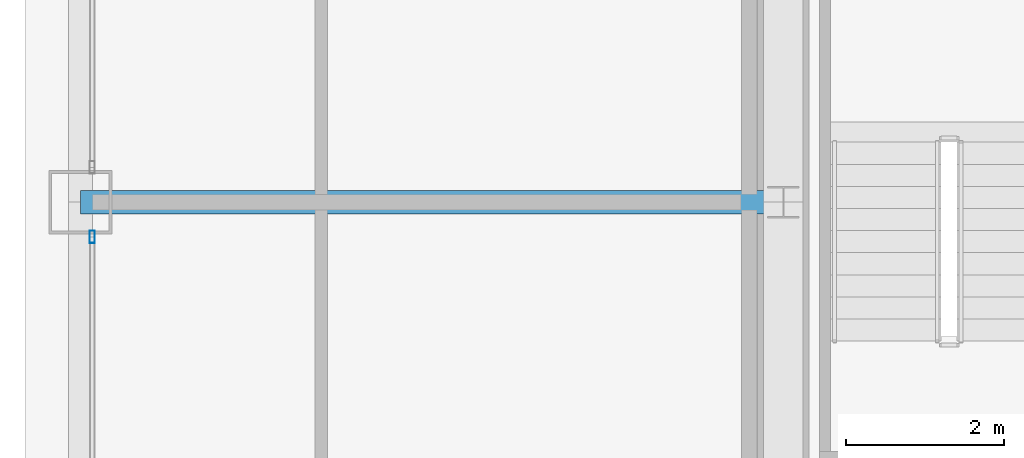
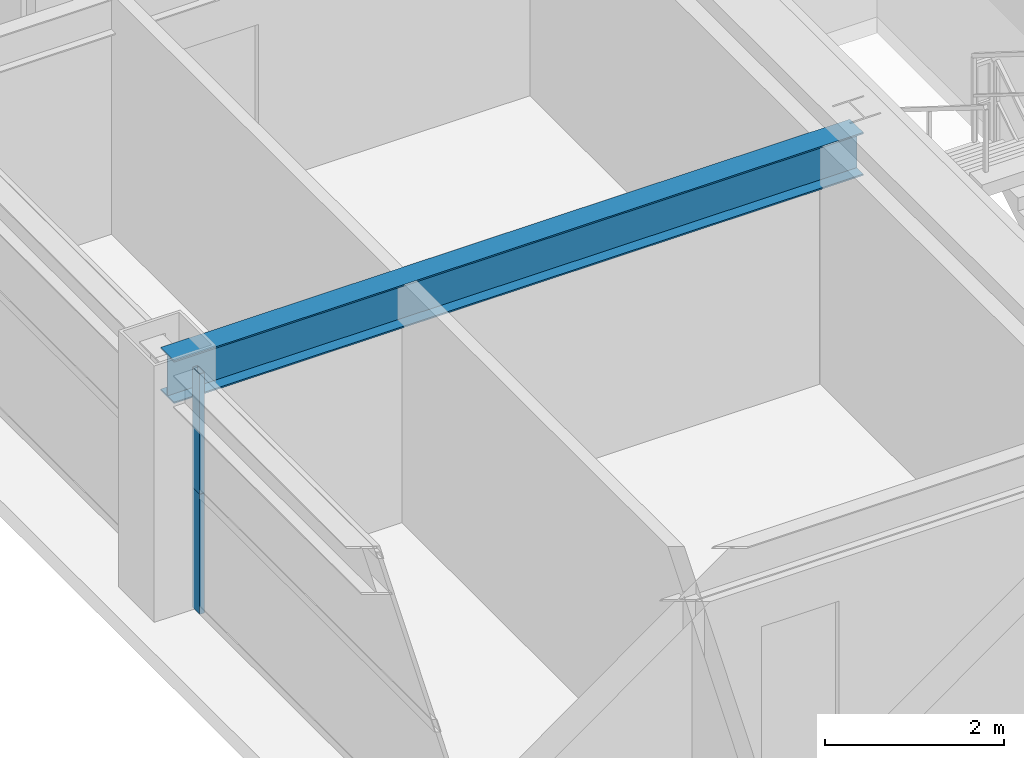
# One storey, part 16 of 45: 2 members, 1 beam, 1 element without a shape of its own.
"""IFC4 building model written with IfcOpenShell, lengths in metres."""

from ifc_helpers import new_model, si_unit, direction, frame, origin, origin_2d, place, context, subcontext, project, spatial, hollow_rectangle, i_section, extrude, source, transform, mapped, material, layer, layer_set, material_profile, profile_set, type_object, element, aggregate, save


model = new_model("IFC4")

# Units and contexts
model_context = context("Model", 3, precision=1e-05, world=origin(), true_north=direction((0.0, 1.0)))
body_context = subcontext(model_context, "Body", "Model", "MODEL_VIEW")
ifc_project = project(units=[si_unit("LENGTHUNIT", "METRE"), si_unit("AREAUNIT", "SQUARE_METRE"), si_unit("VOLUMEUNIT", "CUBIC_METRE"), si_unit("PLANEANGLEUNIT", "RADIAN"), si_unit("MASSUNIT", "GRAM", prefix="KILO"), si_unit("THERMODYNAMICTEMPERATUREUNIT", "KELVIN"), si_unit("POWERUNIT", "WATT")], contexts=[model_context])

# Site, building, storey
site_placement = place(None, origin())
site = spatial("IfcSite", under=ifc_project, at=site_placement, CompositionType="ELEMENT")
building_placement = place(site_placement, origin())
building = spatial("IfcBuilding", under=site, at=building_placement, Name="Yuzanri Waterfront Tower", CompositionType="ELEMENT")
storey_placement = place(building_placement, frame((0.0, 0.0, 212.5)))
storey = spatial("IfcBuildingStorey", under=building, at=storey_placement, Name="L56", CompositionType="ELEMENT", Elevation=212.5)

# Beam
ifc_material_1 = material(Name="Steel Q355B", Category="steel")
ifc_material_profile_1 = material_profile(ifc_material_1, i_section(OverallWidth=0.300048828125, OverallDepth=0.587890625, WebThickness=0.011962890625, FlangeThickness=0.02001953125, at=origin_2d()), Name="HM 588x300x12x20")
ifc_profile_set_1 = profile_set([ifc_material_profile_1], Name="Steel Q355B")
beam_type = type_object("IfcBeamType", Name="Primary Floor Girder Q355B HM 588x300", PredefinedType="BEAM", material=ifc_profile_set_1)
shared_shape_1 = source(origin(), body_context, "Body", "SweptSolid", [
    extrude(i_section(OverallWidth=0.300048828125, OverallDepth=0.587890625, WebThickness=0.011962890625, FlangeThickness=0.02001953125, at=origin_2d()), origin(), (0.0, 0.0, 1.0), 8.900146484375),
])
beam_placement = place(storey_placement, frame((23.800048828125, 25.800048828125, 2.986083984375), z_axis=(-1.0, 0.0, 0.0), x_axis=(0.0, -1.0, 0.0)))
element("IfcBeam", 1, at=beam_placement, inside=storey, type_object=beam_type, Name="L56 West Grid Girder", PredefinedType="BEAM", context=body_context, shape_type="MappedRepresentation", body=[
    mapped(shared_shape_1, transform((0.0, 0.0, 0.0), scale=1.0)),
])

# Curtain wall, members
ifc_material_2 = material(Name="Anodized Architectural Bronze", Category="metal")
ifc_layer = layer(ifc_material_2, 0.159912109375)
ifc_layer_set = layer_set([ifc_layer], Name="Anodized Architectural Bronze")
curtain_wall_type = type_object("IfcCurtainWallType", Name="Anodized Bronze Mid-Rise Residential Acoustic Unitized Curtain Wall 7200", PredefinedType="NOTDEFINED", material=ifc_layer_set)
curtain_wall_placement = place(storey_placement, origin())
curtain_wall = element("IfcCurtainWall", 2, at=curtain_wall_placement, inside=storey, type_object=curtain_wall_type, Name="L56 Curtain Wall CW-L56-WL", PredefinedType="NOTDEFINED")
ifc_material_3 = material(Name="Anodized Architectural Bronze", Category="metal")
ifc_material_profile_2 = material_profile(ifc_material_3, hollow_rectangle(XDim=0.06494140625, YDim=0.159912109375, WallThickness=0.00341796875, at=origin_2d()), Name="CWM 65x160")
ifc_profile_set_2 = profile_set([ifc_material_profile_2], Name="Anodized Architectural Bronze")
member_type = type_object("IfcMemberType", Name="Anodized Bronze Upper-Zone Curtain-Wall Mullion 65x160", PredefinedType="MULLION", material=ifc_profile_set_2)
shared_shape_2 = source(origin(), body_context, "Body", "SweptSolid", [
    extrude(hollow_rectangle(XDim=0.06494140625, YDim=0.159912109375, WallThickness=0.00341796875, at=origin_2d()), origin(), (0.0, 0.0, 1.0), 1.637939453125),
])
member_1_placement = place(storey_placement, frame((15.050048828125, 25.360107421875, 0.0), z_axis=(0.0, 0.0, 1.0), x_axis=(1.0, 0.0, 0.0)))
member_1 = element("IfcMember", 3, at=member_1_placement, type_object=member_type, Name="CW-L56-WL Lower Mullion 02", PredefinedType="MULLION", context=body_context, shape_type="MappedRepresentation", body=[
    mapped(shared_shape_2, transform((0.0, 0.0, 0.0), scale=1.0)),
])
member_2_placement = place(storey_placement, frame((15.050048828125, 25.360107421875, 1.64208984375), z_axis=(0.0, 0.0, 1.0), x_axis=(1.0, 0.0, 0.0)))
member_2 = element("IfcMember", 4, at=member_2_placement, type_object=member_type, Name="CW-L56-WL Upper Mullion 02", PredefinedType="MULLION", context=body_context, shape_type="MappedRepresentation", body=[
    mapped(shared_shape_2, transform((0.0, 0.0, 0.0), scale=1.0)),
])
aggregate(curtain_wall, [member_1, member_2])

save(model, "model.ifc")
